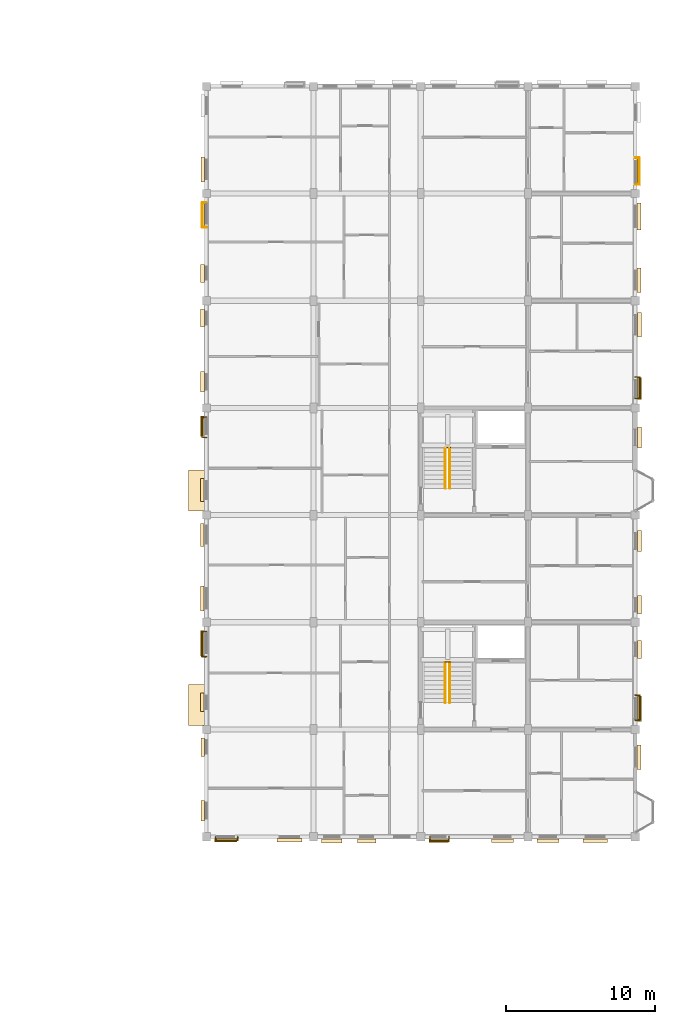
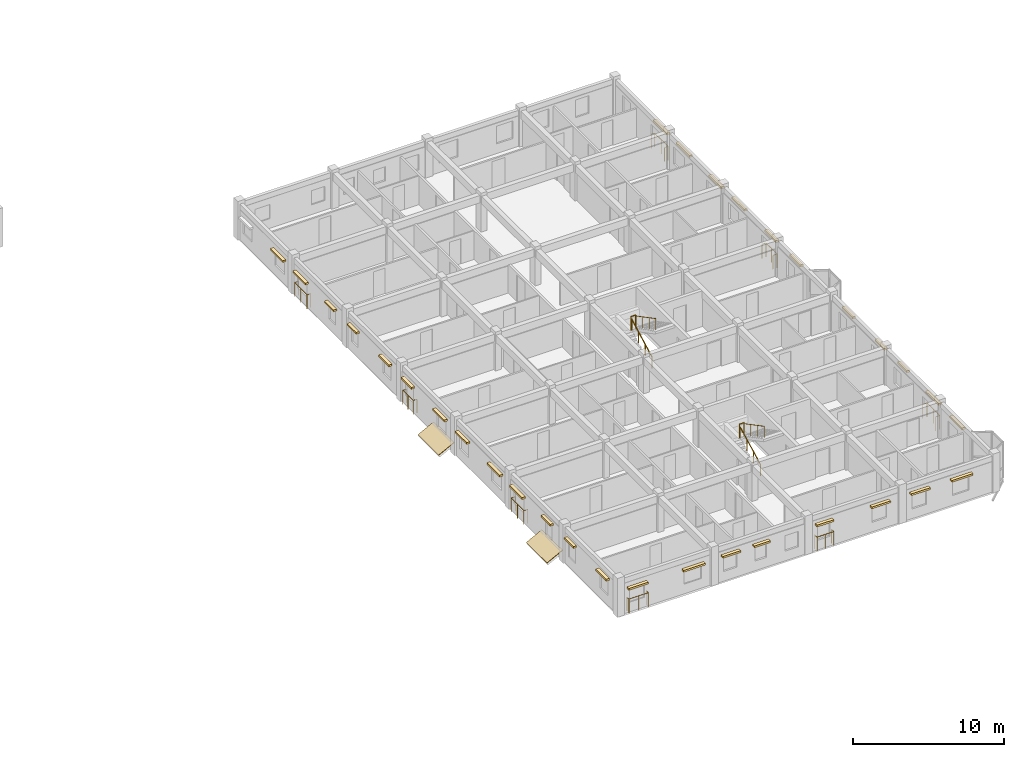
# One storey, part 71 of 75: 34 coverings, 14 railings.
"""IFC4 building model written with IfcOpenShell, lengths in metres."""

from ifc_helpers import new_model, si_unit, direction, frame, origin, origin_2d, place, context, subcontext, project, spatial, polyline, rectangle, circle, outline, extrude, material, layer, layer_set, type_object, element, save


model = new_model("IFC4")

# Units and contexts
model_context = context("Model", 3, precision=1e-05, world=origin(), true_north=direction((0.0, 1.0)))
body_context = subcontext(model_context, "Body", "Model", "MODEL_VIEW")
ifc_project = project(units=[si_unit("LENGTHUNIT", "METRE"), si_unit("AREAUNIT", "SQUARE_METRE"), si_unit("VOLUMEUNIT", "CUBIC_METRE"), si_unit("PLANEANGLEUNIT", "RADIAN"), si_unit("MASSUNIT", "GRAM", prefix="KILO"), si_unit("THERMODYNAMICTEMPERATUREUNIT", "KELVIN"), si_unit("POWERUNIT", "WATT")], contexts=[model_context])

# Site, building, storey
site_placement = place(None, origin())
site = spatial("IfcSite", under=ifc_project, at=site_placement, CompositionType="ELEMENT")
building_placement = place(site_placement, origin())
building = spatial("IfcBuilding", under=site, at=building_placement, Name="Tavuni Mirador Residences", CompositionType="ELEMENT")
storey_placement = place(building_placement, frame((0.0, 0.0, 20.25)))
storey = spatial("IfcBuildingStorey", under=building, at=storey_placement, Name="L06", CompositionType="ELEMENT", Elevation=20.25)

# Coverings
ifc_material_1 = material(Name="Natural coral limestone", Category="masonry")
ifc_layer_1 = layer(ifc_material_1, 0.054931640625, Name="Natural coral limestone", Category="masonry")
ifc_layer_set_1 = layer_set([ifc_layer_1], Name="Natural coral limestone")
covering_type_1 = type_object("IfcCoveringType", Name="CVT-CLAD-CORAL", PredefinedType="CLADDING", material=ifc_layer_set_1)
covering_1_placement = place(storey_placement, frame((91.304931640625, 86.155517578125, 1.955078125), z_axis=(0.0, 0.0, 1.0), x_axis=(1.0, 0.0, 0.0)))
element("IfcCovering", 1, at=covering_1_placement, inside=storey, type_object=covering_type_1, Name="HOOD-0994", PredefinedType="CLADDING", context=body_context, shape_type="SweptSolid", body=[
    extrude(rectangle(XDim=1.5, YDim=0.25, at=origin_2d()), origin(), (0.0, 0.0, 1.0), 0.14990234375),
])
covering_2_placement = place(storey_placement, frame((95.5849609375, 86.155517578125, 1.955078125), z_axis=(0.0, 0.0, 1.0), x_axis=(1.0, 0.0, 0.0)))
element("IfcCovering", 2, at=covering_2_placement, inside=storey, type_object=covering_type_1, Name="HOOD-0995", PredefinedType="CLADDING", context=body_context, shape_type="SweptSolid", body=[
    extrude(rectangle(XDim=1.659912109375, YDim=0.25, at=origin_2d()), origin(), (0.0, 0.0, 1.0), 0.14990234375),
])
covering_3_placement = place(storey_placement, frame((98.427490234375, 86.113037109375, 2.06494140625), z_axis=(0.0, 0.0, 1.0), x_axis=(1.0, 0.0, 0.0)))
element("IfcCovering", 3, at=covering_3_placement, inside=storey, type_object=covering_type_1, Name="HOOD-0996", PredefinedType="CLADDING", context=body_context, shape_type="SweptSolid", body=[
    extrude(rectangle(XDim=1.3798828125, YDim=0.25, at=origin_2d()), origin(), (0.0, 0.0, 1.0), 0.14990234375),
])
covering_4_placement = place(storey_placement, frame((100.77001953125, 86.113037109375, 2.06494140625), z_axis=(0.0, 0.0, 1.0), x_axis=(1.0, 0.0, 0.0)))
element("IfcCovering", 4, at=covering_4_placement, inside=storey, type_object=covering_type_1, Name="HOOD-0997", PredefinedType="CLADDING", context=body_context, shape_type="SweptSolid", body=[
    extrude(rectangle(XDim=1.219970703125, YDim=0.25, at=origin_2d()), origin(), (0.0, 0.0, 1.0), 0.14990234375),
])
covering_5_placement = place(storey_placement, frame((105.60498046875, 86.12060546875, 2.06494140625), z_axis=(0.0, 0.0, 1.0), x_axis=(1.0, 0.0, 0.0)))
element("IfcCovering", 5, at=covering_5_placement, inside=storey, type_object=covering_type_1, Name="HOOD-0998", PredefinedType="CLADDING", context=body_context, shape_type="SweptSolid", body=[
    extrude(rectangle(XDim=1.300048828125, YDim=0.25, at=origin_2d()), origin(), (0.0, 0.0, 1.0), 0.14990234375),
])
for number, where, z_axis, x_axis, name in (
    (6, (109.885009765625, 86.12060546875, 2.06494140625), (0.0, 0.0, 1.0), (1.0, 0.0, 0.0), "HOOD-0999"),
    (7, (112.9375, 86.12548828125, 2.06494140625), (0.0, 0.0, 1.0), (1.0, 0.0, 0.0), "HOOD-1000"),
):
    element("IfcCovering", number, at=place(storey_placement, frame(where, z_axis=z_axis, x_axis=x_axis)), inside=storey, type_object=covering_type_1, Name=name, PredefinedType="CLADDING", context=body_context, shape_type="SweptSolid", body=[
        extrude(rectangle(XDim=1.4599609375, YDim=0.25, at=origin_2d()), origin(), (0.0, 0.0, 1.0), 0.14990234375),
    ])
covering_6_placement = place(storey_placement, frame((116.12255859375, 86.12548828125, 2.06494140625), z_axis=(0.0, 0.0, 1.0), x_axis=(1.0, 0.0, 0.0)))
element("IfcCovering", 8, at=covering_6_placement, inside=storey, type_object=covering_type_1, Name="HOOD-1001", PredefinedType="CLADDING", context=body_context, shape_type="SweptSolid", body=[
    extrude(rectangle(XDim=1.6201171875, YDim=0.25, at=origin_2d()), origin(), (0.0, 0.0, 1.0), 0.14990234375),
])
covering_7_placement = place(storey_placement, frame((119.049560546875, 91.737548828125, 2.06005859375), z_axis=(0.0, 0.0, 1.0), x_axis=(0.0, 1.0, 0.0)))
element("IfcCovering", 9, at=covering_7_placement, inside=storey, type_object=covering_type_1, Name="HOOD-1002", PredefinedType="CLADDING", context=body_context, shape_type="SweptSolid", body=[
    extrude(rectangle(XDim=1.639892578125, YDim=0.260009765625, at=origin_2d()), origin(), (0.0, 0.0, 1.0), 0.159912109375),
])
covering_8_placement = place(storey_placement, frame((119.094482421875, 95.0048828125, 2.06494140625), z_axis=(0.0, 0.0, 1.0), x_axis=(0.0, 1.0, 0.0)))
element("IfcCovering", 10, at=covering_8_placement, inside=storey, type_object=covering_type_1, Name="HOOD-1003", PredefinedType="CLADDING", context=body_context, shape_type="SweptSolid", body=[
    extrude(rectangle(XDim=1.699951171875, YDim=0.25, at=origin_2d()), origin(), (0.0, 0.0, 1.0), 0.14990234375),
])
for number, where, z_axis, x_axis, name in (
    (11, (119.094482421875, 98.97509765625, 2.1650390625), (0.0, 0.0, 1.0), (0.0, 1.0, 0.0), "HOOD-1004"),
    (12, (119.094482421875, 101.97509765625, 2.1650390625), (0.0, 0.0, 1.0), (0.0, 1.0, 0.0), "HOOD-1005"),
):
    element("IfcCovering", number, at=place(storey_placement, frame(where, z_axis=z_axis, x_axis=x_axis)), inside=storey, type_object=covering_type_1, Name=name, PredefinedType="CLADDING", context=body_context, shape_type="SweptSolid", body=[
        extrude(rectangle(XDim=1.239990234375, YDim=0.25, at=origin_2d()), origin(), (0.0, 0.0, 1.0), 0.14990234375),
    ])
covering_9_placement = place(storey_placement, frame((119.094482421875, 106.2548828125, 2.1650390625), z_axis=(0.0, 0.0, 1.0), x_axis=(0.0, 1.0, 0.0)))
element("IfcCovering", 13, at=covering_9_placement, inside=storey, type_object=covering_type_1, Name="HOOD-1006", PredefinedType="CLADDING", context=body_context, shape_type="SweptSolid", body=[
    extrude(rectangle(XDim=1.39990234375, YDim=0.25, at=origin_2d()), origin(), (0.0, 0.0, 1.0), 0.14990234375),
])
covering_10_placement = place(storey_placement, frame((119.099609375, 113.20751953125, 2.16015625), z_axis=(0.0, 0.0, 1.0), x_axis=(0.0, 1.0, 0.0)))
element("IfcCovering", 14, at=covering_10_placement, inside=storey, type_object=covering_type_1, Name="HOOD-1007", PredefinedType="CLADDING", context=body_context, shape_type="SweptSolid", body=[
    extrude(rectangle(XDim=1.419921875, YDim=0.260009765625, at=origin_2d()), origin(), (0.0, 0.0, 1.0), 0.159912109375),
])
covering_11_placement = place(storey_placement, frame((119.094482421875, 116.4951171875, 2.1650390625), z_axis=(0.0, 0.0, 1.0), x_axis=(0.0, 1.0, 0.0)))
element("IfcCovering", 15, at=covering_11_placement, inside=storey, type_object=covering_type_1, Name="HOOD-1008", PredefinedType="CLADDING", context=body_context, shape_type="SweptSolid", body=[
    extrude(rectangle(XDim=1.47998046875, YDim=0.25, at=origin_2d()), origin(), (0.0, 0.0, 1.0), 0.14990234375),
])
for number, where, z_axis, x_axis, name in (
    (16, (119.094482421875, 120.77490234375, 2.1650390625), (0.0, 0.0, 1.0), (0.0, 1.0, 0.0), "HOOD-1009"),
    (17, (119.0595703125, 123.77490234375, 2.1650390625), (0.0, 0.0, 1.0), (0.0, 1.0, 0.0), "HOOD-1010"),
):
    element("IfcCovering", number, at=place(storey_placement, frame(where, z_axis=z_axis, x_axis=x_axis)), inside=storey, type_object=covering_type_1, Name=name, PredefinedType="CLADDING", context=body_context, shape_type="SweptSolid", body=[
        extrude(rectangle(XDim=1.639892578125, YDim=0.25, at=origin_2d()), origin(), (0.0, 0.0, 1.0), 0.14990234375),
    ])
for number, where, z_axis, x_axis, name in (
    (18, (119.0595703125, 128.054931640625, 2.1650390625), (0.0, 0.0, 1.0), (0.0, 1.0, 0.0), "HOOD-1011"),
    (19, (119.049560546875, 131.054931640625, 2.1650390625), (0.0, 0.0, 1.0), (0.0, 1.0, 0.0), "HOOD-1012"),
):
    element("IfcCovering", number, at=place(storey_placement, frame(where, z_axis=z_axis, x_axis=x_axis)), inside=storey, type_object=covering_type_1, Name=name, PredefinedType="CLADDING", context=body_context, shape_type="SweptSolid", body=[
        extrude(rectangle(XDim=1.800048828125, YDim=0.25, at=origin_2d()), origin(), (0.0, 0.0, 1.0), 0.14990234375),
    ])
for number, where, z_axis, x_axis, name in (
    (20, (89.75048828125, 131.215087890625, 1.955078125), (0.0, 0.0, 1.0), (0.0, -1.0, 0.0), "HOOD-1023"),
    (21, (89.740478515625, 128.215087890625, 1.955078125), (0.0, 0.0, 1.0), (0.0, -1.0, 0.0), "HOOD-1024"),
):
    element("IfcCovering", number, at=place(storey_placement, frame(where, z_axis=z_axis, x_axis=x_axis)), inside=storey, type_object=covering_type_1, Name=name, PredefinedType="CLADDING", context=body_context, shape_type="SweptSolid", body=[
        extrude(rectangle(XDim=1.659912109375, YDim=0.25, at=origin_2d()), origin(), (0.0, 0.0, 1.0), 0.14990234375),
    ])
for number, where, z_axis, x_axis, name in (
    (22, (89.740478515625, 124.235107421875, 2.06494140625), (0.0, 0.0, 1.0), (0.0, -1.0, 0.0), "HOOD-1025"),
    (23, (89.73291015625, 121.235107421875, 2.06494140625), (0.0, 0.0, 1.0), (0.0, -1.0, 0.0), "HOOD-1026"),
):
    element("IfcCovering", number, at=place(storey_placement, frame(where, z_axis=z_axis, x_axis=x_axis)), inside=storey, type_object=covering_type_1, Name=name, PredefinedType="CLADDING", context=body_context, shape_type="SweptSolid", body=[
        extrude(rectangle(XDim=1.219970703125, YDim=0.25, at=origin_2d()), origin(), (0.0, 0.0, 1.0), 0.14990234375),
    ])
for number, where, z_axis, x_axis, name in (
    (24, (89.73291015625, 116.955078125, 2.06494140625), (0.0, 0.0, 1.0), (0.0, -1.0, 0.0), "HOOD-1027"),
    (25, (89.7255859375, 113.955078125, 2.06494140625), (0.0, 0.0, 1.0), (0.0, -1.0, 0.0), "HOOD-1028"),
):
    element("IfcCovering", number, at=place(storey_placement, frame(where, z_axis=z_axis, x_axis=x_axis)), inside=storey, type_object=covering_type_1, Name=name, PredefinedType="CLADDING", context=body_context, shape_type="SweptSolid", body=[
        extrude(rectangle(XDim=1.3798828125, YDim=0.25, at=origin_2d()), origin(), (0.0, 0.0, 1.0), 0.14990234375),
    ])
for number, where, z_axis, x_axis, name in (
    (26, (89.7255859375, 109.675048828125, 2.06494140625), (0.0, 0.0, 1.0), (0.0, -1.0, 0.0), "HOOD-1029"),
    (27, (89.720458984375, 106.675048828125, 2.06494140625), (0.0, 0.0, 1.0), (0.0, -1.0, 0.0), "HOOD-1030"),
):
    element("IfcCovering", number, at=place(storey_placement, frame(where, z_axis=z_axis, x_axis=x_axis)), inside=storey, type_object=covering_type_1, Name=name, PredefinedType="CLADDING", context=body_context, shape_type="SweptSolid", body=[
        extrude(rectangle(XDim=1.5400390625, YDim=0.25, at=origin_2d()), origin(), (0.0, 0.0, 1.0), 0.14990234375),
    ])
for number, where, z_axis, x_axis, name in (
    (28, (89.720458984375, 102.39501953125, 2.06494140625), (0.0, 0.0, 1.0), (0.0, -1.0, 0.0), "HOOD-1031"),
    (29, (89.712890625, 99.39501953125, 2.06494140625), (0.0, 0.0, 1.0), (0.0, -1.0, 0.0), "HOOD-1032"),
):
    element("IfcCovering", number, at=place(storey_placement, frame(where, z_axis=z_axis, x_axis=x_axis)), inside=storey, type_object=covering_type_1, Name=name, PredefinedType="CLADDING", context=body_context, shape_type="SweptSolid", body=[
        extrude(rectangle(XDim=1.699951171875, YDim=0.25, at=origin_2d()), origin(), (0.0, 0.0, 1.0), 0.14990234375),
    ])
for number, where, z_axis, x_axis, name in (
    (30, (89.712890625, 95.425048828125, 2.1650390625), (0.0, 0.0, 1.0), (0.0, -1.0, 0.0), "HOOD-1033"),
    (31, (89.755615234375, 92.425048828125, 2.1650390625), (0.0, 0.0, 1.0), (0.0, -1.0, 0.0), "HOOD-1034"),
):
    element("IfcCovering", number, at=place(storey_placement, frame(where, z_axis=z_axis, x_axis=x_axis)), inside=storey, type_object=covering_type_1, Name=name, PredefinedType="CLADDING", context=body_context, shape_type="SweptSolid", body=[
        extrude(rectangle(XDim=1.239990234375, YDim=0.25, at=origin_2d()), origin(), (0.0, 0.0, 1.0), 0.14990234375),
    ])
covering_12_placement = place(storey_placement, frame((89.755615234375, 88.14501953125, 2.1650390625), z_axis=(0.0, 0.0, 1.0), x_axis=(0.0, -1.0, 0.0)))
element("IfcCovering", 32, at=covering_12_placement, inside=storey, type_object=covering_type_1, Name="HOOD-1035", PredefinedType="CLADDING", context=body_context, shape_type="SweptSolid", body=[
    extrude(rectangle(XDim=1.39990234375, YDim=0.25, at=origin_2d()), origin(), (0.0, 0.0, 1.0), 0.14990234375),
])
ifc_material_2 = material(Name="Glazed ceramic roof tile", Category="masonry")
ifc_layer_2 = layer(ifc_material_2, 0.044921875, Name="Glazed ceramic roof tile", Category="masonry")
ifc_layer_set_2 = layer_set([ifc_layer_2], Name="Glazed ceramic roof tile")
covering_type_2 = type_object("IfcCoveringType", Name="CVT-ROOF-TILE", PredefinedType="ROOFING", material=ifc_layer_set_2)
for number, where, z_axis, x_axis, name in (
    (33, (90.0, 93.875, 0.6650390625), (-0.45910327143, 0.0, 0.88838290515), (0.0, 1.0, 0.0), "COV-RF-MIR-D-W1"),
    (34, (90.0, 108.27490234375, 0.6650390625), (-0.45910327143, 0.0, 0.88838290515), (0.0, 1.0, 0.0), "COV-RF-MIR-D-W2"),
):
    element("IfcCovering", number, at=place(storey_placement, frame(where, z_axis=z_axis, x_axis=x_axis)), inside=storey, type_object=covering_type_2, Name=name, PredefinedType="ROOFING", context=body_context, shape_type="SweptSolid", body=[
        extrude(outline(polyline([(0.0, 0.0), (2.7451171875, 0.0), (2.7451171875, 1.3507139375593544), (0.0, 1.3507139375593544), (0.0, 0.0)])), origin(), (0.0, 0.0, -1.0), 0.044921875),
    ])

# Railings
ifc_material_3 = material(Name="Structural steel S355", Category="steel")
railing_type_1 = type_object("IfcRailingType", Name="RT-BL1150", PredefinedType="BALUSTRADE", material=ifc_material_3)
railing_1_placement = place(storey_placement, frame((90.625, 86.39990234375, 0.0400390625)))
element("IfcRailing", 35, at=railing_1_placement, inside=storey, type_object=railing_type_1, Name="BALC-BLK-D-L06-S00", PredefinedType="BALUSTRADE", context=body_context, shape_type="SweptSolid", body=[
    extrude(circle(Radius=0.02392578125, at=origin_2d()), frame((0.0, 0.0, 1.1259765625), z_axis=(0.0, -1.0, 0.0), x_axis=(1.0, 0.0, 0.0)), (0.0, 0.0, 1.0), 0.262451171875),
    extrude(circle(Radius=0.02392578125, at=origin_2d()), frame((0.0, -0.262451171875, 1.1259765625), z_axis=(1.0, 0.0, 0.0), x_axis=(0.0, 1.0, 0.0)), (0.0, 0.0, 1.0), 1.47998046875),
    extrude(circle(Radius=0.02392578125, at=origin_2d()), frame((1.47998046875, -0.262451171875, 1.1259765625), z_axis=(0.0, 1.0, 0.0), x_axis=(-1.0, 0.0, 0.0)), (0.0, 0.0, 1.0), 0.262451171875),
    extrude(circle(Radius=0.02099609375, at=origin_2d()), origin(), (0.0, 0.0, 1.0), 1.101806640625),
    extrude(circle(Radius=0.02099609375, at=origin_2d()), frame((0.0, -0.262451171875, 0.0)), (0.0, 0.0, 1.0), 1.101806640625),
    extrude(circle(Radius=0.02099609375, at=origin_2d()), frame((0.739990234375, -0.262451171875, 0.0)), (0.0, 0.0, 1.0), 1.101806640625),
    extrude(circle(Radius=0.02099609375, at=origin_2d()), frame((1.47998046875, -0.262451171875, 0.0)), (0.0, 0.0, 1.0), 1.101806640625),
    extrude(circle(Radius=0.02099609375, at=origin_2d()), frame((1.47998046875, 0.0, 0.0)), (0.0, 0.0, 1.0), 1.101806640625),
])
railing_2_placement = place(storey_placement, frame((105.02490234375, 86.39990234375, 0.0400390625)))
element("IfcRailing", 36, at=railing_2_placement, inside=storey, type_object=railing_type_1, Name="BALC-BLK-D-L06-S02", PredefinedType="BALUSTRADE", context=body_context, shape_type="SweptSolid", body=[
    extrude(circle(Radius=0.02392578125, at=origin_2d()), frame((0.0, 0.0, 1.1259765625), z_axis=(0.0, -1.0, 0.0), x_axis=(1.0, 0.0, 0.0)), (0.0, 0.0, 1.0), 0.29736328125),
    extrude(circle(Radius=0.02392578125, at=origin_2d()), frame((0.0, -0.29736328125, 1.1259765625), z_axis=(1.0, 0.0, 0.0), x_axis=(0.0, 1.0, 0.0)), (0.0, 0.0, 1.0), 1.280029296875),
    extrude(circle(Radius=0.02392578125, at=origin_2d()), frame((1.280029296875, -0.29736328125, 1.1259765625), z_axis=(0.0, 1.0, 0.0), x_axis=(-1.0, 0.0, 0.0)), (0.0, 0.0, 1.0), 0.29736328125),
    extrude(circle(Radius=0.02099609375, at=origin_2d()), origin(), (0.0, 0.0, 1.0), 1.101806640625),
    extrude(circle(Radius=0.02099609375, at=origin_2d()), frame((0.0, -0.29736328125, 0.0)), (0.0, 0.0, 1.0), 1.101806640625),
    extrude(circle(Radius=0.02099609375, at=origin_2d()), frame((0.64013671875, -0.29736328125, 0.0)), (0.0, 0.0, 1.0), 1.101806640625),
    extrude(circle(Radius=0.02099609375, at=origin_2d()), frame((1.280029296875, -0.29736328125, 0.0)), (0.0, 0.0, 1.0), 1.101806640625),
    extrude(circle(Radius=0.02099609375, at=origin_2d()), frame((1.280029296875, 0.0, 0.0)), (0.0, 0.0, 1.0), 1.101806640625),
])
railing_3_placement = place(storey_placement, frame((118.800048828125, 94.22509765625, 0.0400390625)))
element("IfcRailing", 37, at=railing_3_placement, inside=storey, type_object=railing_type_1, Name="BALC-BLK-D-L06-E01", PredefinedType="BALUSTRADE", context=body_context, shape_type="SweptSolid", body=[
    extrude(circle(Radius=0.02392578125, at=origin_2d()), frame((0.0, 0.0, 1.1259765625), z_axis=(1.0, 0.0, 0.0), x_axis=(0.0, 1.0, 0.0)), (0.0, 0.0, 1.0), 0.3125),
    extrude(circle(Radius=0.02392578125, at=origin_2d()), frame((0.3125, 0.0, 1.1259765625), z_axis=(0.0, 1.0, 0.0), x_axis=(-1.0, 0.0, 0.0)), (0.0, 0.0, 1.0), 1.679931640625),
    extrude(circle(Radius=0.02392578125, at=origin_2d()), frame((0.3125, 1.679931640625, 1.1259765625), z_axis=(-1.0, 0.0, 0.0), x_axis=(0.0, -1.0, 0.0)), (0.0, 0.0, 1.0), 0.3125),
    extrude(circle(Radius=0.02099609375, at=origin_2d()), origin(), (0.0, 0.0, 1.0), 1.101806640625),
    extrude(circle(Radius=0.02099609375, at=origin_2d()), frame((0.3125, 0.0, 0.0)), (0.0, 0.0, 1.0), 1.101806640625),
    extrude(circle(Radius=0.02099609375, at=origin_2d()), frame((0.3125, 0.83984375, 0.0)), (0.0, 0.0, 1.0), 1.101806640625),
    extrude(circle(Radius=0.02099609375, at=origin_2d()), frame((0.3125, 1.679931640625, 0.0)), (0.0, 0.0, 1.0), 1.101806640625),
    extrude(circle(Radius=0.02099609375, at=origin_2d()), frame((0.0, 1.679931640625, 0.0)), (0.0, 0.0, 1.0), 1.101806640625),
])
railing_4_placement = place(storey_placement, frame((118.800048828125, 115.824951171875, 0.0400390625)))
element("IfcRailing", 38, at=railing_4_placement, inside=storey, type_object=railing_type_1, Name="BALC-BLK-D-L06-E04", PredefinedType="BALUSTRADE", context=body_context, shape_type="SweptSolid", body=[
    extrude(circle(Radius=0.02392578125, at=origin_2d()), frame((0.0, 0.0, 1.1259765625), z_axis=(1.0, 0.0, 0.0), x_axis=(0.0, 1.0, 0.0)), (0.0, 0.0, 1.0), 0.3125),
    extrude(circle(Radius=0.02392578125, at=origin_2d()), frame((0.3125, 0.0, 1.1259765625), z_axis=(0.0, 1.0, 0.0), x_axis=(-1.0, 0.0, 0.0)), (0.0, 0.0, 1.0), 1.4599609375),
    extrude(circle(Radius=0.02392578125, at=origin_2d()), frame((0.3125, 1.4599609375, 1.1259765625), z_axis=(-1.0, 0.0, 0.0), x_axis=(0.0, -1.0, 0.0)), (0.0, 0.0, 1.0), 0.3125),
    extrude(circle(Radius=0.02099609375, at=origin_2d()), origin(), (0.0, 0.0, 1.0), 1.101806640625),
    extrude(circle(Radius=0.02099609375, at=origin_2d()), frame((0.3125, 0.0, 0.0)), (0.0, 0.0, 1.0), 1.101806640625),
    extrude(circle(Radius=0.02099609375, at=origin_2d()), frame((0.3125, 0.72998046875, 0.0)), (0.0, 0.0, 1.0), 1.101806640625),
    extrude(circle(Radius=0.02099609375, at=origin_2d()), frame((0.3125, 1.4599609375, 0.0)), (0.0, 0.0, 1.0), 1.101806640625),
    extrude(circle(Radius=0.02099609375, at=origin_2d()), frame((0.0, 1.4599609375, 0.0)), (0.0, 0.0, 1.0), 1.101806640625),
])
railing_5_placement = place(storey_placement, frame((118.800048828125, 130.22509765625, 0.0400390625)))
element("IfcRailing", 39, at=railing_5_placement, inside=storey, type_object=railing_type_1, Name="BALC-BLK-D-L06-E06", PredefinedType="BALUSTRADE", context=body_context, shape_type="SweptSolid", body=[
    extrude(circle(Radius=0.02392578125, at=origin_2d()), frame((0.0, 0.0, 1.1259765625), z_axis=(1.0, 0.0, 0.0), x_axis=(0.0, 1.0, 0.0)), (0.0, 0.0, 1.0), 0.267333984375),
    extrude(circle(Radius=0.02392578125, at=origin_2d()), frame((0.267333984375, 0.0, 1.1259765625), z_axis=(0.0, 1.0, 0.0), x_axis=(-1.0, 0.0, 0.0)), (0.0, 0.0, 1.0), 1.77978515625),
    extrude(circle(Radius=0.02392578125, at=origin_2d()), frame((0.267333984375, 1.77978515625, 1.1259765625), z_axis=(-1.0, 0.0, 0.0), x_axis=(0.0, -1.0, 0.0)), (0.0, 0.0, 1.0), 0.267333984375),
    extrude(circle(Radius=0.02099609375, at=origin_2d()), origin(), (0.0, 0.0, 1.0), 1.101806640625),
    extrude(circle(Radius=0.02099609375, at=origin_2d()), frame((0.267333984375, 0.0, 0.0)), (0.0, 0.0, 1.0), 1.101806640625),
    extrude(circle(Radius=0.02099609375, at=origin_2d()), frame((0.267333984375, 0.889892578125, 0.0)), (0.0, 0.0, 1.0), 1.101806640625),
    extrude(circle(Radius=0.02099609375, at=origin_2d()), frame((0.267333984375, 1.77978515625, 0.0)), (0.0, 0.0, 1.0), 1.101806640625),
    extrude(circle(Radius=0.02099609375, at=origin_2d()), frame((0.0, 1.77978515625, 0.0)), (0.0, 0.0, 1.0), 1.101806640625),
])
railing_6_placement = place(storey_placement, frame((90.0, 128.97509765625, 0.0400390625)))
element("IfcRailing", 40, at=railing_6_placement, inside=storey, type_object=railing_type_1, Name="BALC-BLK-D-L06-W05", PredefinedType="BALUSTRADE", context=body_context, shape_type="SweptSolid", body=[
    extrude(circle(Radius=0.02392578125, at=origin_2d()), frame((0.0, 0.0, 1.1259765625), z_axis=(-1.0, 0.0, 0.0), x_axis=(0.0, -1.0, 0.0)), (0.0, 0.0, 1.0), 0.277587890625),
    extrude(circle(Radius=0.02392578125, at=origin_2d()), frame((-0.277587890625, 0.0, 1.1259765625), z_axis=(0.0, -1.0, 0.0), x_axis=(1.0, 0.0, 0.0)), (0.0, 0.0, 1.0), 1.64013671875),
    extrude(circle(Radius=0.02392578125, at=origin_2d()), frame((-0.277587890625, -1.64013671875, 1.1259765625), z_axis=(1.0, 0.0, 0.0), x_axis=(0.0, 1.0, 0.0)), (0.0, 0.0, 1.0), 0.277587890625),
    extrude(circle(Radius=0.02099609375, at=origin_2d()), origin(), (0.0, 0.0, 1.0), 1.101806640625),
    extrude(circle(Radius=0.02099609375, at=origin_2d()), frame((-0.277587890625, 0.0, 0.0)), (0.0, 0.0, 1.0), 1.101806640625),
    extrude(circle(Radius=0.02099609375, at=origin_2d()), frame((-0.277587890625, -0.820068359375, 0.0)), (0.0, 0.0, 1.0), 1.101806640625),
    extrude(circle(Radius=0.02099609375, at=origin_2d()), frame((-0.277587890625, -1.64013671875, 0.0)), (0.0, 0.0, 1.0), 1.101806640625),
    extrude(circle(Radius=0.02099609375, at=origin_2d()), frame((0.0, -1.64013671875, 0.0)), (0.0, 0.0, 1.0), 1.101806640625),
])
railing_7_placement = place(storey_placement, frame((90.0, 114.574951171875, 0.0400390625)))
element("IfcRailing", 41, at=railing_7_placement, inside=storey, type_object=railing_type_1, Name="BALC-BLK-D-L06-W03", PredefinedType="BALUSTRADE", context=body_context, shape_type="SweptSolid", body=[
    extrude(circle(Radius=0.02392578125, at=origin_2d()), frame((0.0, 0.0, 1.1259765625), z_axis=(-1.0, 0.0, 0.0), x_axis=(0.0, -1.0, 0.0)), (0.0, 0.0, 1.0), 0.29248046875),
    extrude(circle(Radius=0.02392578125, at=origin_2d()), frame((-0.29248046875, 0.0, 1.1259765625), z_axis=(0.0, -1.0, 0.0), x_axis=(1.0, 0.0, 0.0)), (0.0, 0.0, 1.0), 1.35986328125),
    extrude(circle(Radius=0.02392578125, at=origin_2d()), frame((-0.29248046875, -1.35986328125, 1.1259765625), z_axis=(1.0, 0.0, 0.0), x_axis=(0.0, 1.0, 0.0)), (0.0, 0.0, 1.0), 0.29248046875),
    extrude(circle(Radius=0.02099609375, at=origin_2d()), origin(), (0.0, 0.0, 1.0), 1.101806640625),
    extrude(circle(Radius=0.02099609375, at=origin_2d()), frame((-0.29248046875, 0.0, 0.0)), (0.0, 0.0, 1.0), 1.101806640625),
    extrude(circle(Radius=0.02099609375, at=origin_2d()), frame((-0.29248046875, -0.679931640625, 0.0)), (0.0, 0.0, 1.0), 1.101806640625),
    extrude(circle(Radius=0.02099609375, at=origin_2d()), frame((-0.29248046875, -1.35986328125, 0.0)), (0.0, 0.0, 1.0), 1.101806640625),
    extrude(circle(Radius=0.02099609375, at=origin_2d()), frame((0.0, -1.35986328125, 0.0)), (0.0, 0.0, 1.0), 1.101806640625),
])
railing_8_placement = place(storey_placement, frame((90.0, 100.175048828125, 0.0400390625)))
element("IfcRailing", 42, at=railing_8_placement, inside=storey, type_object=railing_type_1, Name="BALC-BLK-D-L06-W01", PredefinedType="BALUSTRADE", context=body_context, shape_type="SweptSolid", body=[
    extrude(circle(Radius=0.02392578125, at=origin_2d()), frame((0.0, 0.0, 1.1259765625), z_axis=(-1.0, 0.0, 0.0), x_axis=(0.0, -1.0, 0.0)), (0.0, 0.0, 1.0), 0.304931640625),
    extrude(circle(Radius=0.02392578125, at=origin_2d()), frame((-0.304931640625, 0.0, 1.1259765625), z_axis=(0.0, -1.0, 0.0), x_axis=(1.0, 0.0, 0.0)), (0.0, 0.0, 1.0), 1.679931640625),
    extrude(circle(Radius=0.02392578125, at=origin_2d()), frame((-0.304931640625, -1.679931640625, 1.1259765625), z_axis=(1.0, 0.0, 0.0), x_axis=(0.0, 1.0, 0.0)), (0.0, 0.0, 1.0), 0.304931640625),
    extrude(circle(Radius=0.02099609375, at=origin_2d()), origin(), (0.0, 0.0, 1.0), 1.101806640625),
    extrude(circle(Radius=0.02099609375, at=origin_2d()), frame((-0.304931640625, 0.0, 0.0)), (0.0, 0.0, 1.0), 1.101806640625),
    extrude(circle(Radius=0.02099609375, at=origin_2d()), frame((-0.304931640625, -0.83984375, 0.0)), (0.0, 0.0, 1.0), 1.101806640625),
    extrude(circle(Radius=0.02099609375, at=origin_2d()), frame((-0.304931640625, -1.679931640625, 0.0)), (0.0, 0.0, 1.0), 1.101806640625),
    extrude(circle(Radius=0.02099609375, at=origin_2d()), frame((0.0, -1.679931640625, 0.0)), (0.0, 0.0, 1.0), 1.101806640625),
])
railing_type_2 = type_object("IfcRailingType", Name="RT-GR1120", PredefinedType="GUARDRAIL", material=ifc_material_3)
for number, where, name in (
    (43, (106.02001953125, 98.139892578125, 1.574951171875), "GRD-HL-ST7-L06"),
    (44, (106.02001953125, 112.5400390625, 1.574951171875), "GRD-HL-ST8-L06"),
):
    element("IfcRailing", number, at=place(storey_placement, frame(where)), inside=storey, type_object=railing_type_2, Name=name, PredefinedType="GUARDRAIL", context=body_context, shape_type="SweptSolid", body=[
        extrude(circle(Radius=0.02392578125, at=origin_2d()), frame((0.0, 0.0, 1.09619140625), z_axis=(1.0, 0.0, 0.0), x_axis=(0.0, 1.0, 0.0)), (0.0, 0.0, 1.0), 0.35986328125),
        extrude(circle(Radius=0.02099609375, at=origin_2d()), origin(), (0.0, 0.0, 1.0), 1.072021484375),
        extrude(circle(Radius=0.02099609375, at=origin_2d()), frame((0.35986328125, 0.0, 0.0)), (0.0, 0.0, 1.0), 1.072021484375),
    ])
railing_type_3 = type_object("IfcRailingType", Name="RT-HR920", PredefinedType="HANDRAIL", material=ifc_material_3)
railing_9_placement = place(storey_placement, frame((106.050048828125, 95.39990234375, 0.157470703125)))
element("IfcRailing", 45, at=railing_9_placement, inside=storey, type_object=railing_type_3, Name="HR-ST7-L06-F1", PredefinedType="HANDRAIL", context=body_context, shape_type="SweptSolid", body=[
    extrude(circle(Radius=0.02392578125, at=origin_2d()), frame((0.0, 0.0, 0.89599609375), z_axis=(0.0, 0.885414376231, 0.464802519747), x_axis=(-1.0, 0.0, 0.0)), (0.0, 0.0, 1.0), 3.049560546875),
    extrude(circle(Radius=0.02099609375, at=origin_2d()), origin(), (0.0, 0.0, 1.0), 0.871826171875),
    extrude(circle(Radius=0.02099609375, at=origin_2d()), frame((0.0, 0.900146484375, 0.472412109375)), (0.0, 0.0, 1.0), 0.871826171875),
    extrude(circle(Radius=0.02099609375, at=origin_2d()), frame((0.0, 1.800048828125, 0.945068359375)), (0.0, 0.0, 1.0), 0.871826171875),
    extrude(circle(Radius=0.02099609375, at=origin_2d()), frame((0.0, 2.7001953125, 1.41748046875)), (0.0, 0.0, 1.0), 0.871826171875),
])
railing_10_placement = place(storey_placement, frame((106.35009765625, 98.10009765625, 1.732421875)))
element("IfcRailing", 46, at=railing_10_placement, inside=storey, type_object=railing_type_3, Name="HR-ST7-L06-F2", PredefinedType="HANDRAIL", context=body_context, shape_type="SweptSolid", body=[
    extrude(circle(Radius=0.02392578125, at=origin_2d()), frame((0.0, 0.0, 0.89599609375), z_axis=(0.0, -0.885414376231, 0.464802519747), x_axis=(1.0, 0.0, 0.0)), (0.0, 0.0, 1.0), 3.049560546875),
    extrude(circle(Radius=0.02099609375, at=origin_2d()), origin(), (0.0, 0.0, 1.0), 0.871826171875),
    extrude(circle(Radius=0.02099609375, at=origin_2d()), frame((0.0, -0.900146484375, 0.472412109375)), (0.0, 0.0, 1.0), 0.871826171875),
    extrude(circle(Radius=0.02099609375, at=origin_2d()), frame((0.0, -1.800048828125, 0.945068359375)), (0.0, 0.0, 1.0), 0.871826171875),
    extrude(circle(Radius=0.02099609375, at=origin_2d()), frame((0.0, -2.7001953125, 1.41748046875)), (0.0, 0.0, 1.0), 0.871826171875),
])
railing_11_placement = place(storey_placement, frame((106.050048828125, 109.800048828125, 0.157470703125)))
element("IfcRailing", 47, at=railing_11_placement, inside=storey, type_object=railing_type_3, Name="HR-ST8-L06-F1", PredefinedType="HANDRAIL", context=body_context, shape_type="SweptSolid", body=[
    extrude(circle(Radius=0.02392578125, at=origin_2d()), frame((0.0, 0.0, 0.89599609375), z_axis=(0.0, 0.885397079081, 0.464835468048), x_axis=(-1.0, 0.0, 0.0)), (0.0, 0.0, 1.0), 3.04931640625),
    extrude(circle(Radius=0.02099609375, at=origin_2d()), origin(), (0.0, 0.0, 1.0), 0.871826171875),
    extrude(circle(Radius=0.02099609375, at=origin_2d()), frame((0.0, 0.89990234375, 0.472412109375)), (0.0, 0.0, 1.0), 0.871826171875),
    extrude(circle(Radius=0.02099609375, at=origin_2d()), frame((0.0, 1.800048828125, 0.945068359375)), (0.0, 0.0, 1.0), 0.871826171875),
    extrude(circle(Radius=0.02099609375, at=origin_2d()), frame((0.0, 2.699951171875, 1.41748046875)), (0.0, 0.0, 1.0), 0.871826171875),
])
railing_12_placement = place(storey_placement, frame((106.35009765625, 112.5, 1.732421875)))
element("IfcRailing", 48, at=railing_12_placement, inside=storey, type_object=railing_type_3, Name="HR-ST8-L06-F2", PredefinedType="HANDRAIL", context=body_context, shape_type="SweptSolid", body=[
    extrude(circle(Radius=0.02392578125, at=origin_2d()), frame((0.0, 0.0, 0.89599609375), z_axis=(0.0, -0.885397079081, 0.464835468048), x_axis=(1.0, 0.0, 0.0)), (0.0, 0.0, 1.0), 3.04931640625),
    extrude(circle(Radius=0.02099609375, at=origin_2d()), origin(), (0.0, 0.0, 1.0), 0.871826171875),
    extrude(circle(Radius=0.02099609375, at=origin_2d()), frame((0.0, -0.89990234375, 0.472412109375)), (0.0, 0.0, 1.0), 0.871826171875),
    extrude(circle(Radius=0.02099609375, at=origin_2d()), frame((0.0, -1.800048828125, 0.945068359375)), (0.0, 0.0, 1.0), 0.871826171875),
    extrude(circle(Radius=0.02099609375, at=origin_2d()), frame((0.0, -2.699951171875, 1.41748046875)), (0.0, 0.0, 1.0), 0.871826171875),
])

save(model, "model.ifc")
